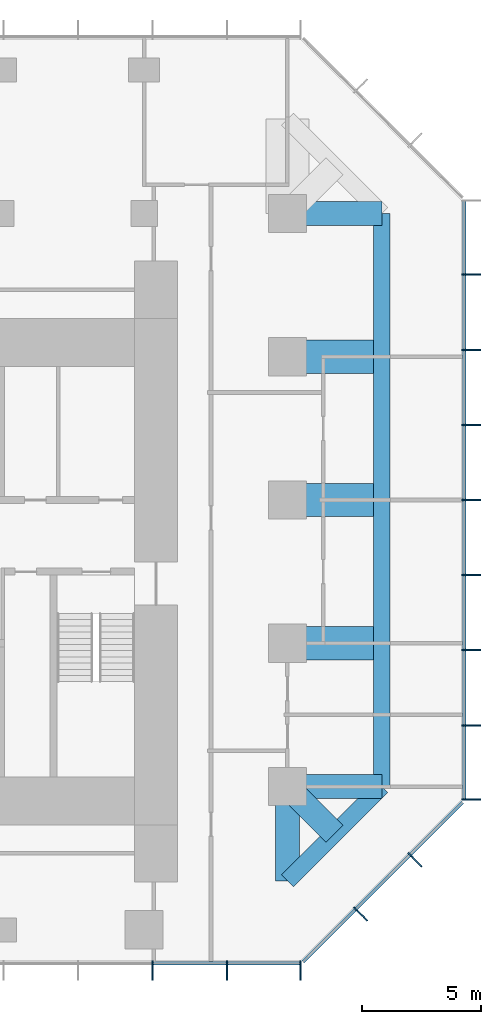
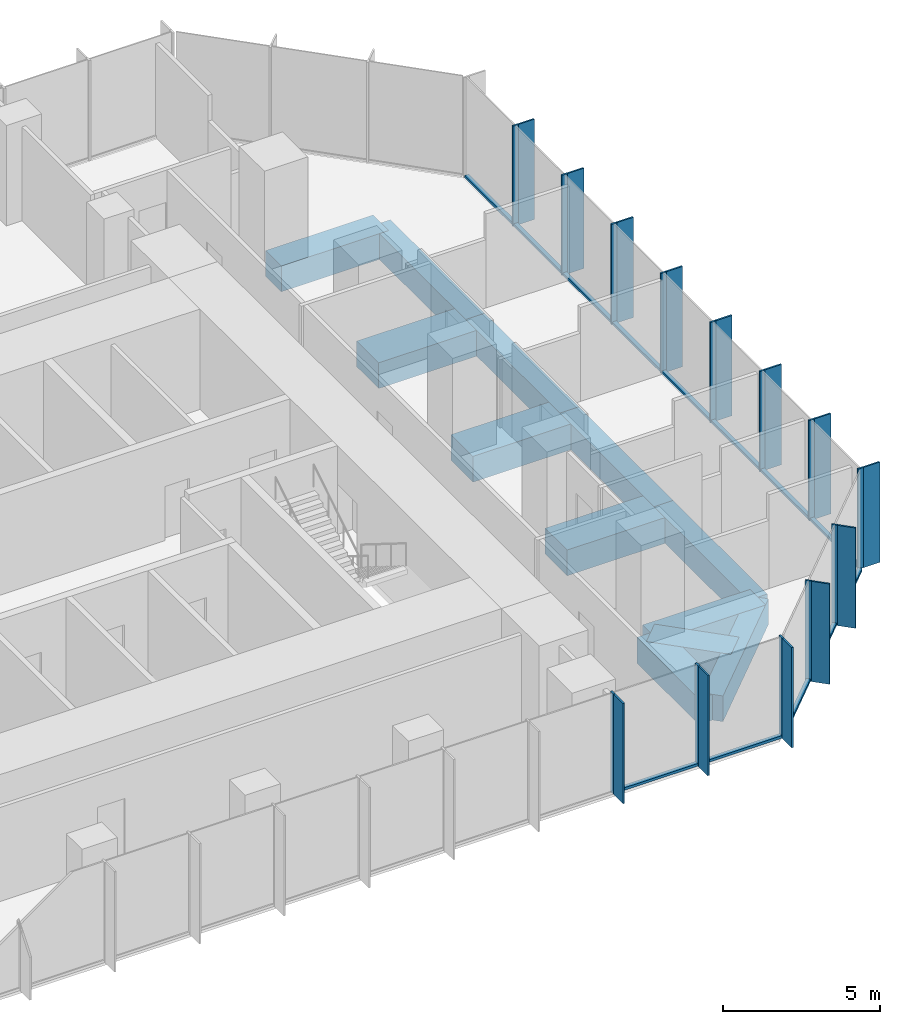
# One storey, part 4 of 11: 39 members, 12 beams, 3 elements without a shape of their own.
"""IFC4 building model written with IfcOpenShell, lengths in metres."""

from ifc_helpers import new_model, si_unit, direction, frame, origin, origin_2d, place, context, subcontext, project, spatial, rectangle, extrude, material, layer, layer_set, material_profile, profile_set, type_object, element, aggregate, save


model = new_model("IFC4")

# Units and contexts
model_context = context("Model", 3, precision=1e-05, world=origin(), true_north=direction((0.0, 1.0)))
body_context = subcontext(model_context, "Body", "Model", "MODEL_VIEW")
ifc_project = project(units=[si_unit("LENGTHUNIT", "METRE"), si_unit("AREAUNIT", "SQUARE_METRE"), si_unit("VOLUMEUNIT", "CUBIC_METRE"), si_unit("PLANEANGLEUNIT", "RADIAN"), si_unit("MASSUNIT", "GRAM", prefix="KILO")], contexts=[model_context])

# Site, building, storey
site_placement = place(None, origin())
site = spatial("IfcSite", under=ifc_project, at=site_placement, CompositionType="ELEMENT")
building_placement = place(site_placement, origin())
building = spatial("IfcBuilding", under=site, at=building_placement, Name="Highveld Stack Headquarters", CompositionType="ELEMENT")
storey_placement = place(building_placement, frame((0.0, 0.0, 260.60009765625)))
storey = spatial("IfcBuildingStorey", under=building, at=storey_placement, Name="L64", CompositionType="ELEMENT", Elevation=260.60009765625)

# Beams
ifc_material_1 = material(Name="Concrete C60/75", Category="concrete")
ifc_material_profile_1 = material_profile(ifc_material_1, rectangle(XDim=1.0, YDim=1.0, at=origin_2d()), Name="RC 1000x1000")
ifc_profile_set_1 = profile_set([ifc_material_profile_1], Name="Concrete C60/75")
beam_type_1 = type_object("IfcBeamType", Name="CANTILEVER RIB RC 1000x1000", PredefinedType="USERDEFINED", material=ifc_profile_set_1)
for number, where, z_axis, x_axis, name in (
    (1, (24.0, -6.0, -0.75), (1.0, 0.0, 0.0), (0.0, 1.0, 0.0), "Cantilever rib 10/D L64"),
    (2, (24.0, -6.0, -0.75), (0.0, -1.0, 0.0), (1.0, 0.0, 0.0), "Cantilever rib 10/D L64"),
):
    element("IfcBeam", number, at=place(storey_placement, frame(where, z_axis=z_axis, x_axis=x_axis)), inside=storey, type_object=beam_type_1, Name=name, ObjectType="CANTILEVER RIB", PredefinedType="USERDEFINED", context=body_context, shape_type="SweptSolid", body=[
        extrude(rectangle(XDim=1.0, YDim=1.0, at=origin_2d()), origin(), (0.0, 0.0, 1.0), 3.949951171875),
    ])
beam_1_placement = place(storey_placement, frame((24.0, -6.0, -0.75), z_axis=(0.707106781187, -0.707106781187, 0.0), x_axis=(0.707106781187, 0.707106781187, 0.0)))
element("IfcBeam", 3, at=beam_1_placement, inside=storey, type_object=beam_type_1, Name="Cantilever rib 10/D L64", ObjectType="CANTILEVER RIB", PredefinedType="USERDEFINED", context=body_context, shape_type="SweptSolid", body=[
    extrude(rectangle(XDim=1.0, YDim=1.0, at=origin_2d()), origin(), (0.0, 0.0, 1.0), 2.793212890625),
])
beam_2_placement = place(storey_placement, frame((24.0, 18.0, -0.75), z_axis=(1.0, 0.0, 0.0), x_axis=(0.0, 1.0, 0.0)))
element("IfcBeam", 4, at=beam_2_placement, inside=storey, type_object=beam_type_1, Name="Cantilever rib 10/H L64", ObjectType="CANTILEVER RIB", PredefinedType="USERDEFINED", context=body_context, shape_type="SweptSolid", body=[
    extrude(rectangle(XDim=1.0, YDim=1.0, at=origin_2d()), origin(), (0.0, 0.0, 1.0), 3.949951171875),
])
ifc_material_2 = material(Name="Concrete C60/75", Category="concrete")
ifc_material_profile_2 = material_profile(ifc_material_2, rectangle(XDim=1.39990234375, YDim=1.0, at=origin_2d()), Name="RC 1400x1000")
ifc_profile_set_2 = profile_set([ifc_material_profile_2], Name="Concrete C60/75")
beam_type_2 = type_object("IfcBeamType", Name="CANTILEVER RIB RC 1400x1000", PredefinedType="USERDEFINED", material=ifc_profile_set_2)
for number, where, z_axis, x_axis, name in (
    (5, (24.0, 0.0, -0.75), (1.0, 0.0, 0.0), (0.0, 1.0, 0.0), "Cantilever rib 10/E L64"),
    (6, (24.0, 6.0, -0.75), (1.0, 0.0, 0.0), (0.0, 1.0, 0.0), "Cantilever rib 10/F L64"),
    (7, (24.0, 12.0, -0.75), (1.0, 0.0, 0.0), (0.0, 1.0, 0.0), "Cantilever rib 10/G L64"),
):
    element("IfcBeam", number, at=place(storey_placement, frame(where, z_axis=z_axis, x_axis=x_axis)), inside=storey, type_object=beam_type_2, Name=name, ObjectType="CANTILEVER RIB", PredefinedType="USERDEFINED", context=body_context, shape_type="SweptSolid", body=[
        extrude(rectangle(XDim=1.39990234375, YDim=1.0, at=origin_2d()), origin(), (0.0, 0.0, 1.0), 3.949951171875),
    ])

# Curtain wall, members
ifc_material_3 = material(Name="Aluminium bronze anodised", Category="aluminium")
ifc_layer = layer(ifc_material_3, 0.199951171875)
ifc_layer_set = layer_set([ifc_layer], Name="Aluminium bronze anodised")
curtain_wall_type = type_object("IfcCurtainWallType", Name="CW5 EXECUTIVE UNITISED CURTAIN WALL", PredefinedType="NOTDEFINED", material=ifc_layer_set)
curtain_wall_1_placement = place(storey_placement, origin())
curtain_wall_1 = element("IfcCurtainWall", 8, at=curtain_wall_1_placement, inside=storey, type_object=curtain_wall_type, Name="Curtain wall CW5 L64 S", PredefinedType="NOTDEFINED")
ifc_material_4 = material(Name="Aluminium bronze anodised", Category="aluminium")
ifc_material_profile_3 = material_profile(ifc_material_4, rectangle(XDim=0.60009765625, YDim=0.06005859375, at=origin_2d()), Name="FIN 600x60")
ifc_profile_set_3 = profile_set([ifc_material_profile_3], Name="Aluminium bronze anodised")
member_type_1 = type_object("IfcMemberType", Name="CW5 BRONZE FIN 600x60", PredefinedType="USERDEFINED", material=ifc_profile_set_3)
member_1_placement = place(storey_placement, frame((18.347900390625, -13.800048828125, 0.0), z_axis=(0.0, 0.0, 1.0), x_axis=(0.0, 1.0, 0.0)))
member_1 = element("IfcMember", 9, at=member_1_placement, type_object=member_type_1, Name="CW5 fin L64 9", ObjectType="FIN", PredefinedType="USERDEFINED", context=body_context, shape_type="SweptSolid", body=[
    extrude(rectangle(XDim=0.60009765625, YDim=0.06005859375, at=origin_2d()), origin(), (0.0, 0.0, 1.0), 3.89990234375),
])
member_2_placement = place(storey_placement, frame((21.4638671875, -13.800048828125, 0.0), z_axis=(0.0, 0.0, 1.0), x_axis=(0.0, 1.0, 0.0)))
member_2 = element("IfcMember", 10, at=member_2_placement, type_object=member_type_1, Name="CW5 fin L64 10", ObjectType="FIN", PredefinedType="USERDEFINED", context=body_context, shape_type="SweptSolid", body=[
    extrude(rectangle(XDim=0.60009765625, YDim=0.06005859375, at=origin_2d()), origin(), (0.0, 0.0, 1.0), 3.89990234375),
])
member_3_placement = place(storey_placement, frame((24.54736328125, -13.800048828125, 0.0), z_axis=(0.0, 0.0, 1.0), x_axis=(0.0, 1.0, 0.0)))
member_3 = element("IfcMember", 11, at=member_3_placement, type_object=member_type_1, Name="CW5 fin L64 11", ObjectType="FIN", PredefinedType="USERDEFINED", context=body_context, shape_type="SweptSolid", body=[
    extrude(rectangle(XDim=0.60009765625, YDim=0.06005859375, at=origin_2d()), origin(), (0.0, 0.0, 1.0), 3.89990234375),
])

curtain_wall_2_placement = place(storey_placement, origin())
curtain_wall_2 = element("IfcCurtainWall", 12, at=curtain_wall_2_placement, inside=storey, type_object=curtain_wall_type, Name="Curtain wall CW5 L64 SE", PredefinedType="NOTDEFINED")
member_4_placement = place(storey_placement, frame((27.135986328125, -11.409423828125, 0.0), z_axis=(0.0, 0.0, 1.0), x_axis=(-0.707106781187, 0.707106781187, 0.0)))
member_4 = element("IfcMember", 13, at=member_4_placement, type_object=member_type_1, Name="CW5 fin L64 1", ObjectType="FIN", PredefinedType="USERDEFINED", context=body_context, shape_type="SweptSolid", body=[
    extrude(rectangle(XDim=0.60009765625, YDim=0.06005859375, at=origin_2d()), origin(), (0.0, 0.0, 1.0), 3.89990234375),
])
member_5_placement = place(storey_placement, frame((29.409423828125, -9.135986328125, 0.0), z_axis=(0.0, 0.0, 1.0), x_axis=(-0.707106781187, 0.707106781187, 0.0)))
member_5 = element("IfcMember", 14, at=member_5_placement, type_object=member_type_1, Name="CW5 fin L64 2", ObjectType="FIN", PredefinedType="USERDEFINED", context=body_context, shape_type="SweptSolid", body=[
    extrude(rectangle(XDim=0.60009765625, YDim=0.06005859375, at=origin_2d()), origin(), (0.0, 0.0, 1.0), 3.89990234375),
])

curtain_wall_3_placement = place(storey_placement, origin())
curtain_wall_3 = element("IfcCurtainWall", 15, at=curtain_wall_3_placement, inside=storey, type_object=curtain_wall_type, Name="Curtain wall CW5 L64 E", PredefinedType="NOTDEFINED")
member_6_placement = place(storey_placement, frame((31.800048828125, -6.54736328125, 0.0), z_axis=(0.0, 0.0, 1.0), x_axis=(-1.0, 0.0, 0.0)))
member_6 = element("IfcMember", 16, at=member_6_placement, type_object=member_type_1, Name="CW5 fin L64 1", ObjectType="FIN", PredefinedType="USERDEFINED", context=body_context, shape_type="SweptSolid", body=[
    extrude(rectangle(XDim=0.60009765625, YDim=0.06005859375, at=origin_2d()), origin(), (0.0, 0.0, 1.0), 3.89990234375),
])
member_7_placement = place(storey_placement, frame((31.800048828125, -3.434814453125, 0.0), z_axis=(0.0, 0.0, 1.0), x_axis=(-1.0, 0.0, 0.0)))
member_7 = element("IfcMember", 17, at=member_7_placement, type_object=member_type_1, Name="CW5 fin L64 2", ObjectType="FIN", PredefinedType="USERDEFINED", context=body_context, shape_type="SweptSolid", body=[
    extrude(rectangle(XDim=0.60009765625, YDim=0.06005859375, at=origin_2d()), origin(), (0.0, 0.0, 1.0), 3.89990234375),
])
member_8_placement = place(storey_placement, frame((31.800048828125, -0.2900390625, 0.0), z_axis=(0.0, 0.0, 1.0), x_axis=(-1.0, 0.0, 0.0)))
member_8 = element("IfcMember", 18, at=member_8_placement, type_object=member_type_1, Name="CW5 fin L64 3", ObjectType="FIN", PredefinedType="USERDEFINED", context=body_context, shape_type="SweptSolid", body=[
    extrude(rectangle(XDim=0.60009765625, YDim=0.06005859375, at=origin_2d()), origin(), (0.0, 0.0, 1.0), 3.89990234375),
])
member_9_placement = place(storey_placement, frame((31.800048828125, 2.85498046875, 0.0), z_axis=(0.0, 0.0, 1.0), x_axis=(-1.0, 0.0, 0.0)))
member_9 = element("IfcMember", 19, at=member_9_placement, type_object=member_type_1, Name="CW5 fin L64 4", ObjectType="FIN", PredefinedType="USERDEFINED", context=body_context, shape_type="SweptSolid", body=[
    extrude(rectangle(XDim=0.60009765625, YDim=0.06005859375, at=origin_2d()), origin(), (0.0, 0.0, 1.0), 3.89990234375),
])
member_10_placement = place(storey_placement, frame((31.800048828125, 6.0, 0.0), z_axis=(0.0, 0.0, 1.0), x_axis=(-1.0, 0.0, 0.0)))
member_10 = element("IfcMember", 20, at=member_10_placement, type_object=member_type_1, Name="CW5 fin L64 5", ObjectType="FIN", PredefinedType="USERDEFINED", context=body_context, shape_type="SweptSolid", body=[
    extrude(rectangle(XDim=0.60009765625, YDim=0.06005859375, at=origin_2d()), origin(), (0.0, 0.0, 1.0), 3.89990234375),
])
member_11_placement = place(storey_placement, frame((31.800048828125, 9.14501953125, 0.0), z_axis=(0.0, 0.0, 1.0), x_axis=(-1.0, 0.0, 0.0)))
member_11 = element("IfcMember", 21, at=member_11_placement, type_object=member_type_1, Name="CW5 fin L64 6", ObjectType="FIN", PredefinedType="USERDEFINED", context=body_context, shape_type="SweptSolid", body=[
    extrude(rectangle(XDim=0.60009765625, YDim=0.06005859375, at=origin_2d()), origin(), (0.0, 0.0, 1.0), 3.89990234375),
])
member_12_placement = place(storey_placement, frame((31.800048828125, 12.289794921875, 0.0), z_axis=(0.0, 0.0, 1.0), x_axis=(-1.0, 0.0, 0.0)))
member_12 = element("IfcMember", 22, at=member_12_placement, type_object=member_type_1, Name="CW5 fin L64 7", ObjectType="FIN", PredefinedType="USERDEFINED", context=body_context, shape_type="SweptSolid", body=[
    extrude(rectangle(XDim=0.60009765625, YDim=0.06005859375, at=origin_2d()), origin(), (0.0, 0.0, 1.0), 3.89990234375),
])
member_13_placement = place(storey_placement, frame((31.800048828125, 15.434814453125, 0.0), z_axis=(0.0, 0.0, 1.0), x_axis=(-1.0, 0.0, 0.0)))
member_13 = element("IfcMember", 23, at=member_13_placement, type_object=member_type_1, Name="CW5 fin L64 8", ObjectType="FIN", PredefinedType="USERDEFINED", context=body_context, shape_type="SweptSolid", body=[
    extrude(rectangle(XDim=0.60009765625, YDim=0.06005859375, at=origin_2d()), origin(), (0.0, 0.0, 1.0), 3.89990234375),
])

# Member
ifc_material_5 = material(Name="Aluminium bronze anodised", Category="aluminium")
ifc_material_profile_4 = material_profile(ifc_material_5, rectangle(XDim=0.199951171875, YDim=0.06494140625, at=origin_2d()), Name="CW5 MULLION 65x200")
ifc_profile_set_4 = profile_set([ifc_material_profile_4], Name="Aluminium bronze anodised")
member_type_2 = type_object("IfcMemberType", Name="CW5 MULLION 65x200", PredefinedType="MULLION", material=ifc_profile_set_4)
member_14_placement = place(storey_placement, frame((18.347900390625, -13.39990234375, 0.0), z_axis=(0.0, 0.0, 1.0), x_axis=(0.0, 1.0, 0.0)))
member_14 = element("IfcMember", 24, at=member_14_placement, type_object=member_type_2, Name="CW5 mullion L64 9", PredefinedType="MULLION", context=body_context, shape_type="SweptSolid", body=[
    extrude(rectangle(XDim=0.199951171875, YDim=0.06494140625, at=origin_2d()), origin(), (0.0, 0.0, 1.0), 3.89990234375),
])

member_15_placement = place(storey_placement, frame((21.4638671875, -13.39990234375, 0.0), z_axis=(0.0, 0.0, 1.0), x_axis=(0.0, 1.0, 0.0)))
member_15 = element("IfcMember", 25, at=member_15_placement, type_object=member_type_2, Name="CW5 mullion L64 10", PredefinedType="MULLION", context=body_context, shape_type="SweptSolid", body=[
    extrude(rectangle(XDim=0.199951171875, YDim=0.06494140625, at=origin_2d()), origin(), (0.0, 0.0, 1.0), 3.89990234375),
])

member_16_placement = place(storey_placement, frame((24.54736328125, -13.39990234375, 0.0), z_axis=(0.0, 0.0, 1.0), x_axis=(0.0, 1.0, 0.0)))
member_16 = element("IfcMember", 26, at=member_16_placement, type_object=member_type_2, Name="CW5 mullion L64 11", PredefinedType="MULLION", context=body_context, shape_type="SweptSolid", body=[
    extrude(rectangle(XDim=0.199951171875, YDim=0.06494140625, at=origin_2d()), origin(), (0.0, 0.0, 1.0), 3.89990234375),
])

member_17_placement = place(storey_placement, frame((26.853271484375, -11.126708984375, 0.0), z_axis=(0.0, 0.0, 1.0), x_axis=(-0.707106781187, 0.707106781187, 0.0)))
member_17 = element("IfcMember", 27, at=member_17_placement, type_object=member_type_2, Name="CW5 mullion L64 1", PredefinedType="MULLION", context=body_context, shape_type="SweptSolid", body=[
    extrude(rectangle(XDim=0.199951171875, YDim=0.06494140625, at=origin_2d()), origin(), (0.0, 0.0, 1.0), 3.89990234375),
])

member_18_placement = place(storey_placement, frame((29.126708984375, -8.853271484375, 0.0), z_axis=(0.0, 0.0, 1.0), x_axis=(-0.707106781187, 0.707106781187, 0.0)))
member_18 = element("IfcMember", 28, at=member_18_placement, type_object=member_type_2, Name="CW5 mullion L64 2", PredefinedType="MULLION", context=body_context, shape_type="SweptSolid", body=[
    extrude(rectangle(XDim=0.199951171875, YDim=0.06494140625, at=origin_2d()), origin(), (0.0, 0.0, 1.0), 3.89990234375),
])

member_19_placement = place(storey_placement, frame((31.39990234375, -6.54736328125, 0.0), z_axis=(0.0, 0.0, 1.0), x_axis=(-1.0, 0.0, 0.0)))
member_19 = element("IfcMember", 29, at=member_19_placement, type_object=member_type_2, Name="CW5 mullion L64 1", PredefinedType="MULLION", context=body_context, shape_type="SweptSolid", body=[
    extrude(rectangle(XDim=0.199951171875, YDim=0.06494140625, at=origin_2d()), origin(), (0.0, 0.0, 1.0), 3.89990234375),
])

member_20_placement = place(storey_placement, frame((31.39990234375, -3.434814453125, 0.0), z_axis=(0.0, 0.0, 1.0), x_axis=(-1.0, 0.0, 0.0)))
member_20 = element("IfcMember", 30, at=member_20_placement, type_object=member_type_2, Name="CW5 mullion L64 2", PredefinedType="MULLION", context=body_context, shape_type="SweptSolid", body=[
    extrude(rectangle(XDim=0.199951171875, YDim=0.06494140625, at=origin_2d()), origin(), (0.0, 0.0, 1.0), 3.89990234375),
])

member_21_placement = place(storey_placement, frame((31.39990234375, -0.2900390625, 0.0), z_axis=(0.0, 0.0, 1.0), x_axis=(-1.0, 0.0, 0.0)))
member_21 = element("IfcMember", 31, at=member_21_placement, type_object=member_type_2, Name="CW5 mullion L64 3", PredefinedType="MULLION", context=body_context, shape_type="SweptSolid", body=[
    extrude(rectangle(XDim=0.199951171875, YDim=0.06494140625, at=origin_2d()), origin(), (0.0, 0.0, 1.0), 3.89990234375),
])

member_22_placement = place(storey_placement, frame((31.39990234375, 2.85498046875, 0.0), z_axis=(0.0, 0.0, 1.0), x_axis=(-1.0, 0.0, 0.0)))
member_22 = element("IfcMember", 32, at=member_22_placement, type_object=member_type_2, Name="CW5 mullion L64 4", PredefinedType="MULLION", context=body_context, shape_type="SweptSolid", body=[
    extrude(rectangle(XDim=0.199951171875, YDim=0.06494140625, at=origin_2d()), origin(), (0.0, 0.0, 1.0), 3.89990234375),
])

member_23_placement = place(storey_placement, frame((31.39990234375, 6.0, 0.0), z_axis=(0.0, 0.0, 1.0), x_axis=(-1.0, 0.0, 0.0)))
member_23 = element("IfcMember", 33, at=member_23_placement, type_object=member_type_2, Name="CW5 mullion L64 5", PredefinedType="MULLION", context=body_context, shape_type="SweptSolid", body=[
    extrude(rectangle(XDim=0.199951171875, YDim=0.06494140625, at=origin_2d()), origin(), (0.0, 0.0, 1.0), 3.89990234375),
])

member_24_placement = place(storey_placement, frame((31.39990234375, 9.14501953125, 0.0), z_axis=(0.0, 0.0, 1.0), x_axis=(-1.0, 0.0, 0.0)))
member_24 = element("IfcMember", 34, at=member_24_placement, type_object=member_type_2, Name="CW5 mullion L64 6", PredefinedType="MULLION", context=body_context, shape_type="SweptSolid", body=[
    extrude(rectangle(XDim=0.199951171875, YDim=0.06494140625, at=origin_2d()), origin(), (0.0, 0.0, 1.0), 3.89990234375),
])

member_25_placement = place(storey_placement, frame((31.39990234375, 12.289794921875, 0.0), z_axis=(0.0, 0.0, 1.0), x_axis=(-1.0, 0.0, 0.0)))
member_25 = element("IfcMember", 35, at=member_25_placement, type_object=member_type_2, Name="CW5 mullion L64 7", PredefinedType="MULLION", context=body_context, shape_type="SweptSolid", body=[
    extrude(rectangle(XDim=0.199951171875, YDim=0.06494140625, at=origin_2d()), origin(), (0.0, 0.0, 1.0), 3.89990234375),
])

member_26_placement = place(storey_placement, frame((31.39990234375, 15.434814453125, 0.0), z_axis=(0.0, 0.0, 1.0), x_axis=(-1.0, 0.0, 0.0)))
member_26 = element("IfcMember", 36, at=member_26_placement, type_object=member_type_2, Name="CW5 mullion L64 8", PredefinedType="MULLION", context=body_context, shape_type="SweptSolid", body=[
    extrude(rectangle(XDim=0.199951171875, YDim=0.06494140625, at=origin_2d()), origin(), (0.0, 0.0, 1.0), 3.89990234375),
])

ifc_material_6 = material(Name="Aluminium bronze anodised", Category="aluminium")
ifc_material_profile_5 = material_profile(ifc_material_6, rectangle(XDim=0.14990234375, YDim=0.10009765625, at=origin_2d()), Name="CW5 TRANSOM 150x100")
ifc_profile_set_5 = profile_set([ifc_material_profile_5], Name="Aluminium bronze anodised")
member_type_3 = type_object("IfcMemberType", Name="CW5 STACK TRANSOM 150x100", PredefinedType="USERDEFINED", material=ifc_profile_set_5)
member_27_placement = place(storey_placement, frame((18.38037109375, -13.39990234375, 0.0498046875), z_axis=(1.0, 0.0, 0.0), x_axis=(0.0, 1.0, 0.0)))
member_27 = element("IfcMember", 37, at=member_27_placement, type_object=member_type_3, Name="CW5 transom L64 9.1", ObjectType="TRANSOM", PredefinedType="USERDEFINED", context=body_context, shape_type="SweptSolid", body=[
    extrude(rectangle(XDim=0.14990234375, YDim=0.10009765625, at=origin_2d()), origin(), (0.0, 0.0, 1.0), 3.051025390625),
])

member_28_placement = place(storey_placement, frame((21.496337890625, -13.39990234375, 0.0498046875), z_axis=(1.0, 0.0, 0.0), x_axis=(0.0, 1.0, 0.0)))
member_28 = element("IfcMember", 38, at=member_28_placement, type_object=member_type_3, Name="CW5 transom L64 10.1", ObjectType="TRANSOM", PredefinedType="USERDEFINED", context=body_context, shape_type="SweptSolid", body=[
    extrude(rectangle(XDim=0.14990234375, YDim=0.10009765625, at=origin_2d()), origin(), (0.0, 0.0, 1.0), 3.0185546875),
])

aggregate(curtain_wall_1, [member_14, member_1, member_15, member_2, member_16, member_3, member_27, member_28])

member_29_placement = place(storey_placement, frame((24.650634765625, -13.329345703125, 0.0498046875), z_axis=(0.707106781187, 0.707106781187, 0.0), x_axis=(-0.707106781187, 0.707106781187, 0.0)))
member_29 = element("IfcMember", 39, at=member_29_placement, type_object=member_type_3, Name="CW5 transom L64 1.1", ObjectType="TRANSOM", PredefinedType="USERDEFINED", context=body_context, shape_type="SweptSolid", body=[
    extrude(rectangle(XDim=0.14990234375, YDim=0.10009765625, at=origin_2d()), origin(), (0.0, 0.0, 1.0), 3.08251953125),
])

member_30_placement = place(storey_placement, frame((26.876220703125, -11.103759765625, 0.0498046875), z_axis=(0.707106781187, 0.707106781187, 0.0), x_axis=(-0.707106781187, 0.707106781187, 0.0)))
member_30 = element("IfcMember", 40, at=member_30_placement, type_object=member_type_3, Name="CW5 transom L64 2.1", ObjectType="TRANSOM", PredefinedType="USERDEFINED", context=body_context, shape_type="SweptSolid", body=[
    extrude(rectangle(XDim=0.14990234375, YDim=0.10009765625, at=origin_2d()), origin(), (0.0, 0.0, 1.0), 3.150146484375),
])

member_31_placement = place(storey_placement, frame((29.149658203125, -8.830322265625, 0.0498046875), z_axis=(0.707106781187, 0.707106781187, 0.0), x_axis=(-0.707106781187, 0.707106781187, 0.0)))
member_31 = element("IfcMember", 41, at=member_31_placement, type_object=member_type_3, Name="CW5 transom L64 3.1", ObjectType="TRANSOM", PredefinedType="USERDEFINED", context=body_context, shape_type="SweptSolid", body=[
    extrude(rectangle(XDim=0.14990234375, YDim=0.10009765625, at=origin_2d()), origin(), (0.0, 0.0, 1.0), 3.08251953125),
])

aggregate(curtain_wall_2, [member_17, member_4, member_18, member_5, member_29, member_30, member_31])

member_32_placement = place(storey_placement, frame((31.39990234375, -6.514892578125, 0.0498046875), z_axis=(0.0, 1.0, 0.0), x_axis=(-1.0, 0.0, 0.0)))
member_32 = element("IfcMember", 42, at=member_32_placement, type_object=member_type_3, Name="CW5 transom L64 1.1", ObjectType="TRANSOM", PredefinedType="USERDEFINED", context=body_context, shape_type="SweptSolid", body=[
    extrude(rectangle(XDim=0.14990234375, YDim=0.10009765625, at=origin_2d()), origin(), (0.0, 0.0, 1.0), 3.047607421875),
])

member_33_placement = place(storey_placement, frame((31.39990234375, -3.40234375, 0.0498046875), z_axis=(0.0, 1.0, 0.0), x_axis=(-1.0, 0.0, 0.0)))
member_33 = element("IfcMember", 43, at=member_33_placement, type_object=member_type_3, Name="CW5 transom L64 2.1", ObjectType="TRANSOM", PredefinedType="USERDEFINED", context=body_context, shape_type="SweptSolid", body=[
    extrude(rectangle(XDim=0.14990234375, YDim=0.10009765625, at=origin_2d()), origin(), (0.0, 0.0, 1.0), 3.079833984375),
])

member_34_placement = place(storey_placement, frame((31.39990234375, -0.257568359375, 0.0498046875), z_axis=(0.0, 1.0, 0.0), x_axis=(-1.0, 0.0, 0.0)))
member_34 = element("IfcMember", 44, at=member_34_placement, type_object=member_type_3, Name="CW5 transom L64 3.1", ObjectType="TRANSOM", PredefinedType="USERDEFINED", context=body_context, shape_type="SweptSolid", body=[
    extrude(rectangle(XDim=0.14990234375, YDim=0.10009765625, at=origin_2d()), origin(), (0.0, 0.0, 1.0), 3.080078125),
])

member_35_placement = place(storey_placement, frame((31.39990234375, 2.887451171875, 0.0498046875), z_axis=(0.0, 1.0, 0.0), x_axis=(-1.0, 0.0, 0.0)))
member_35 = element("IfcMember", 45, at=member_35_placement, type_object=member_type_3, Name="CW5 transom L64 4.1", ObjectType="TRANSOM", PredefinedType="USERDEFINED", context=body_context, shape_type="SweptSolid", body=[
    extrude(rectangle(XDim=0.14990234375, YDim=0.10009765625, at=origin_2d()), origin(), (0.0, 0.0, 1.0), 3.080078125),
])

member_36_placement = place(storey_placement, frame((31.39990234375, 6.032470703125, 0.0498046875), z_axis=(0.0, 1.0, 0.0), x_axis=(-1.0, 0.0, 0.0)))
member_36 = element("IfcMember", 46, at=member_36_placement, type_object=member_type_3, Name="CW5 transom L64 5.1", ObjectType="TRANSOM", PredefinedType="USERDEFINED", context=body_context, shape_type="SweptSolid", body=[
    extrude(rectangle(XDim=0.14990234375, YDim=0.10009765625, at=origin_2d()), origin(), (0.0, 0.0, 1.0), 3.080078125),
])

member_37_placement = place(storey_placement, frame((31.39990234375, 9.177490234375, 0.0498046875), z_axis=(0.0, 1.0, 0.0), x_axis=(-1.0, 0.0, 0.0)))
member_37 = element("IfcMember", 47, at=member_37_placement, type_object=member_type_3, Name="CW5 transom L64 6.1", ObjectType="TRANSOM", PredefinedType="USERDEFINED", context=body_context, shape_type="SweptSolid", body=[
    extrude(rectangle(XDim=0.14990234375, YDim=0.10009765625, at=origin_2d()), origin(), (0.0, 0.0, 1.0), 3.080078125),
])

member_38_placement = place(storey_placement, frame((31.39990234375, 12.322509765625, 0.0498046875), z_axis=(0.0, 1.0, 0.0), x_axis=(-1.0, 0.0, 0.0)))
member_38 = element("IfcMember", 48, at=member_38_placement, type_object=member_type_3, Name="CW5 transom L64 7.1", ObjectType="TRANSOM", PredefinedType="USERDEFINED", context=body_context, shape_type="SweptSolid", body=[
    extrude(rectangle(XDim=0.14990234375, YDim=0.10009765625, at=origin_2d()), origin(), (0.0, 0.0, 1.0), 3.079833984375),
])

member_39_placement = place(storey_placement, frame((31.39990234375, 15.46728515625, 0.0498046875), z_axis=(0.0, 1.0, 0.0), x_axis=(-1.0, 0.0, 0.0)))
member_39 = element("IfcMember", 49, at=member_39_placement, type_object=member_type_3, Name="CW5 transom L64 8.1", ObjectType="TRANSOM", PredefinedType="USERDEFINED", context=body_context, shape_type="SweptSolid", body=[
    extrude(rectangle(XDim=0.14990234375, YDim=0.10009765625, at=origin_2d()), origin(), (0.0, 0.0, 1.0), 3.047607421875),
])

aggregate(curtain_wall_3, [member_19, member_6, member_20, member_7, member_21, member_8, member_22, member_9, member_23, member_10, member_24, member_11, member_25, member_12, member_26, member_13, member_32, member_33, member_34, member_35, member_36, member_37, member_38, member_39])

# Beams
ifc_material_7 = material(Name="Concrete C60/75", Category="concrete")
ifc_material_profile_6 = material_profile(ifc_material_7, rectangle(XDim=0.699951171875, YDim=1.0, at=origin_2d()), Name="RC 700x1000")
ifc_profile_set_6 = profile_set([ifc_material_profile_6], Name="Concrete C60/75")
beam_type_3 = type_object("IfcBeamType", Name="RIB TIP BEAM RC 700x1000", PredefinedType="SPANDREL", material=ifc_profile_set_6)
for number, where, z_axis, x_axis, name in (
    (50, (27.949951171875, -6.0, -0.75), (0.0, 1.0, 0.0), (-1.0, 0.0, 0.0), "Rib tip beam 10/D to 10/E L64"),
    (51, (27.949951171875, 0.0, -0.75), (0.0, 1.0, 0.0), (-1.0, 0.0, 0.0), "Rib tip beam 10/E to 10/F L64"),
    (52, (27.949951171875, 6.0, -0.75), (0.0, 1.0, 0.0), (-1.0, 0.0, 0.0), "Rib tip beam 10/F to 10/G L64"),
    (53, (27.949951171875, 12.0, -0.75), (0.0, 1.0, 0.0), (-1.0, 0.0, 0.0), "Rib tip beam 10/G to 10/H L64"),
):
    element("IfcBeam", number, at=place(storey_placement, frame(where, z_axis=z_axis, x_axis=x_axis)), inside=storey, type_object=beam_type_3, Name=name, PredefinedType="SPANDREL", context=body_context, shape_type="SweptSolid", body=[
        extrude(rectangle(XDim=0.699951171875, YDim=1.0, at=origin_2d()), origin(), (0.0, 0.0, 1.0), 6.0),
    ])
beam_3_placement = place(storey_placement, frame((27.949951171875, -6.0, -0.75), z_axis=(-0.707106781187, -0.707106781187, 0.0), x_axis=(0.707106781187, -0.707106781187, 0.0)))
element("IfcBeam", 54, at=beam_3_placement, inside=storey, type_object=beam_type_3, Name="Rib tip beam 10/D corner L64", PredefinedType="SPANDREL", context=body_context, shape_type="SweptSolid", body=[
    extrude(rectangle(XDim=0.699951171875, YDim=1.0, at=origin_2d()), origin(), (0.0, 0.0, 1.0), 5.586181640625),
])

save(model, "model.ifc")
